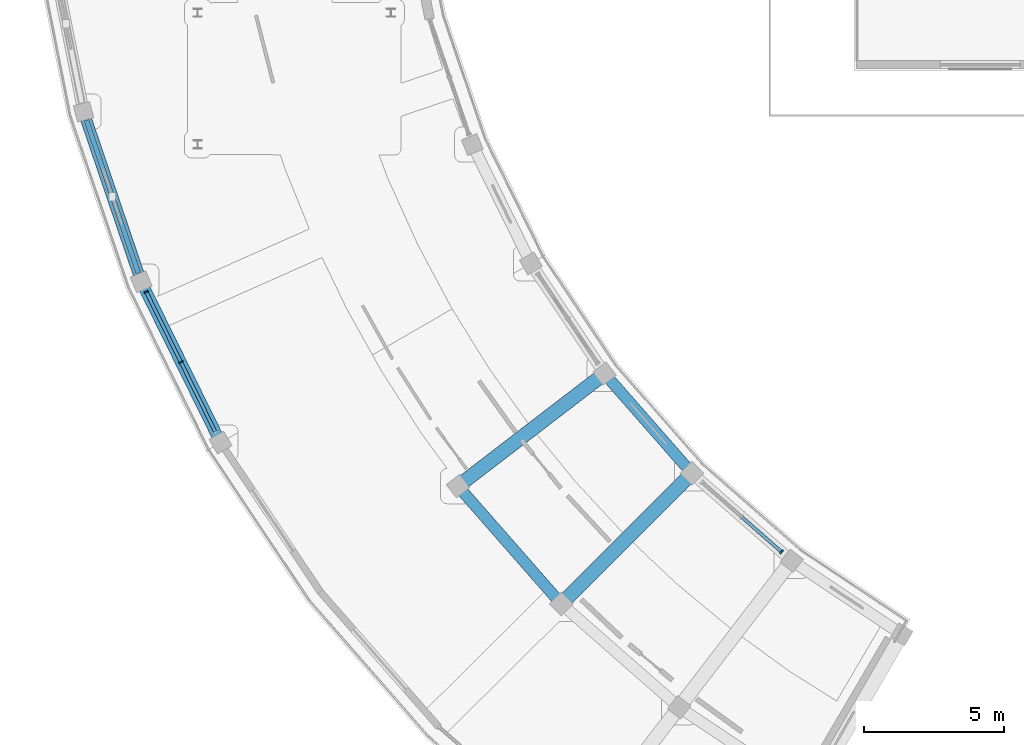
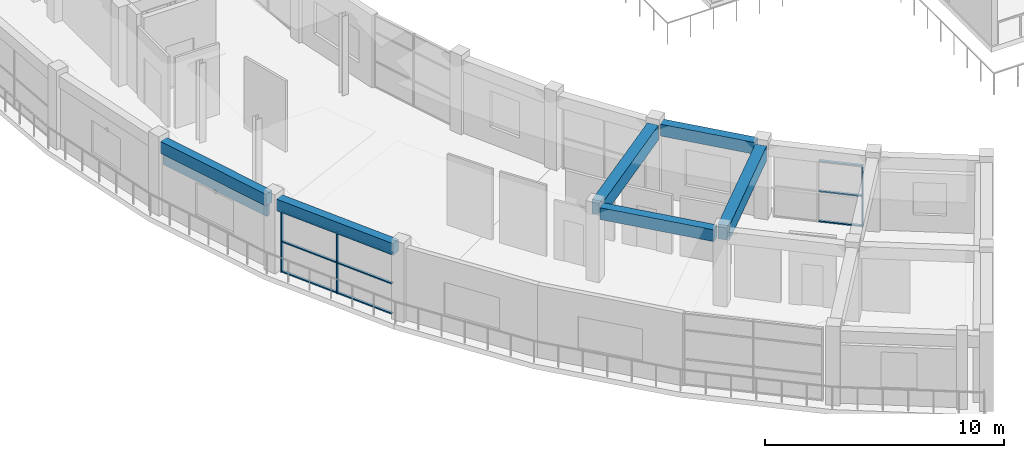
# One storey, part 13 of 72: 13 members, 6 beams, 2 elements without a shape of their own.
"""IFC4 building model written with IfcOpenShell, lengths in metres."""

from ifc_helpers import new_model, si_unit, direction, frame, origin, origin_2d, place, context, subcontext, project, spatial, rectangle, extrude, material, material_profile, profile_set, type_object, element, aggregate, save


model = new_model("IFC4")

# Units and contexts
model_context = context("Model", 3, precision=1e-05, world=origin(), true_north=direction((0.0, 1.0)))
body_context = subcontext(model_context, "Body", "Model", "MODEL_VIEW")
ifc_project = project(units=[si_unit("LENGTHUNIT", "METRE"), si_unit("AREAUNIT", "SQUARE_METRE"), si_unit("VOLUMEUNIT", "CUBIC_METRE"), si_unit("PLANEANGLEUNIT", "RADIAN"), si_unit("MASSUNIT", "GRAM", prefix="KILO")], contexts=[model_context])

# Site, building, storey
site_placement = place(None, origin())
site = spatial("IfcSite", under=ifc_project, at=site_placement, CompositionType="ELEMENT")
building_placement = place(site_placement, origin())
building = spatial("IfcBuilding", under=site, at=building_placement, Name="Saryqyr Civic Hall", CompositionType="ELEMENT")
storey_placement = place(building_placement, frame((0.0, 0.0, 17.25)))
storey = spatial("IfcBuildingStorey", under=building, at=storey_placement, Name="L04", CompositionType="ELEMENT", Elevation=17.25)

# Curtain wall, members
ifc_material_1 = material(Name="Anodised aluminium and triple low-E glass", Category="aluminium")
curtain_wall_type_1 = type_object("IfcCurtainWallType", Name="ENV-CW-STD-14", PredefinedType="NOTDEFINED", material=ifc_material_1)
curtain_wall_1_placement = place(storey_placement, origin())
curtain_wall_1 = element("IfcCurtainWall", 1, at=curtain_wall_1_placement, inside=storey, type_object=curtain_wall_type_1, Name="Curtain wall V4-CWO-L04-05", PredefinedType="NOTDEFINED")
ifc_material_2 = material(Name="Anodised aluminium", Category="aluminium")
ifc_material_profile_1 = material_profile(ifc_material_2, rectangle(XDim=0.06005859375, YDim=0.159912109375, at=origin_2d()), Name="ALU MULLION 60x160")
ifc_profile_set_1 = profile_set([ifc_material_profile_1], Name="Anodised aluminium")
member_type_1 = type_object("IfcMemberType", Name="ENV-CW-MUL-180", PredefinedType="MULLION", material=ifc_profile_set_1)
member_1_placement = place(storey_placement, frame((13.1474609375, 62.374267578125, 0.0), z_axis=(0.0, 0.0, 1.0), x_axis=(-0.442287609634, 0.896873274417, 0.0)))
member_1 = element("IfcMember", 2, at=member_1_placement, type_object=member_type_1, Name="CW-14 mullion 2", PredefinedType="MULLION", context=body_context, shape_type="SweptSolid", body=[
    extrude(rectangle(XDim=0.06005859375, YDim=0.159912109375, at=origin_2d()), origin(), (0.0, 0.0, 1.0), 3.135009765625),
])
member_2_placement = place(storey_placement, frame((11.910888671875, 64.881591796875, 0.0), z_axis=(0.0, 0.0, 1.0), x_axis=(-0.442287609634, 0.896873274417, 0.0)))
member_2 = element("IfcMember", 3, at=member_2_placement, type_object=member_type_1, Name="CW-14 mullion 3", PredefinedType="MULLION", context=body_context, shape_type="SweptSolid", body=[
    extrude(rectangle(XDim=0.06005859375, YDim=0.159912109375, at=origin_2d()), origin(), (0.0, 0.0, 1.0), 3.135009765625),
])

# Curtain wall, member
curtain_wall_type_2 = type_object("IfcCurtainWallType", Name="ENV-CW-STD-20", PredefinedType="NOTDEFINED", material=ifc_material_1)
curtain_wall_2_placement = place(storey_placement, origin())
curtain_wall_2 = element("IfcCurtainWall", 4, at=curtain_wall_2_placement, inside=storey, type_object=curtain_wall_type_2, Name="Curtain wall V4-CWI-L04-08", PredefinedType="NOTDEFINED")
member_3_placement = place(storey_placement, frame((34.600341796875, 55.5986328125, 0.0), z_axis=(0.0, 0.0, 1.0), x_axis=(0.751850148543, -0.65933402319, 0.0)))
member_3 = element("IfcMember", 5, at=member_3_placement, type_object=member_type_1, Name="CW-20 mullion 3", PredefinedType="MULLION", context=body_context, shape_type="SweptSolid", body=[
    extrude(rectangle(XDim=0.06005859375, YDim=0.159912109375, at=origin_2d()), origin(), (0.0, 0.0, 1.0), 3.135009765625),
])

# Member
ifc_material_profile_2 = material_profile(ifc_material_2, rectangle(XDim=0.1201171875, YDim=0.06005859375, at=origin_2d()), Name="ALU TRANSOM 120x60")
ifc_profile_set_2 = profile_set([ifc_material_profile_2], Name="Anodised aluminium")
member_type_2 = type_object("IfcMemberType", Name="ENV-CW-TRN-150", PredefinedType="USERDEFINED", material=ifc_profile_set_2)
member_4_placement = place(storey_placement, frame((14.37060546875, 59.893798828125, 0.030029296875), z_axis=(-0.442280684004, 0.896876689717, 0.0), x_axis=(-0.896876689717, -0.442280684004, 0.0)))
member_4 = element("IfcMember", 6, at=member_4_placement, type_object=member_type_2, Name="CW-14 transom 1.1", ObjectType="TRANSOM", PredefinedType="USERDEFINED", context=body_context, shape_type="SweptSolid", body=[
    extrude(rectangle(XDim=0.1201171875, YDim=0.06005859375, at=origin_2d()), origin(), (0.0, 0.0, 1.0), 2.73583984375),
])

member_5_placement = place(storey_placement, frame((14.37060546875, 59.893798828125, 1.56689453125), z_axis=(-0.442280684004, 0.896876689717, 0.0), x_axis=(-0.896876689717, -0.442280684004, 0.0)))
member_5 = element("IfcMember", 7, at=member_5_placement, type_object=member_type_2, Name="CW-14 transom 1.2", ObjectType="TRANSOM", PredefinedType="USERDEFINED", context=body_context, shape_type="SweptSolid", body=[
    extrude(rectangle(XDim=0.1201171875, YDim=0.06005859375, at=origin_2d()), origin(), (0.0, 0.0, 1.0), 2.73583984375),
])

member_6_placement = place(storey_placement, frame((14.37060546875, 59.893798828125, 3.10498046875), z_axis=(-0.442280684004, 0.896876689717, 0.0), x_axis=(-0.896876689717, -0.442280684004, 0.0)))
member_6 = element("IfcMember", 8, at=member_6_placement, type_object=member_type_2, Name="CW-14 transom 1.3", ObjectType="TRANSOM", PredefinedType="USERDEFINED", context=body_context, shape_type="SweptSolid", body=[
    extrude(rectangle(XDim=0.1201171875, YDim=0.06005859375, at=origin_2d()), origin(), (0.0, 0.0, 1.0), 2.73583984375),
])

member_7_placement = place(storey_placement, frame((13.134033203125, 62.401123046875, 0.030029296875), z_axis=(-0.442280684004, 0.896876689717, 0.0), x_axis=(-0.896876689717, -0.442280684004, 0.0)))
member_7 = element("IfcMember", 9, at=member_7_placement, type_object=member_type_2, Name="CW-14 transom 2.1", ObjectType="TRANSOM", PredefinedType="USERDEFINED", context=body_context, shape_type="SweptSolid", body=[
    extrude(rectangle(XDim=0.1201171875, YDim=0.06005859375, at=origin_2d()), origin(), (0.0, 0.0, 1.0), 2.73583984375),
])

member_8_placement = place(storey_placement, frame((13.134033203125, 62.401123046875, 1.56689453125), z_axis=(-0.442280684004, 0.896876689717, 0.0), x_axis=(-0.896876689717, -0.442280684004, 0.0)))
member_8 = element("IfcMember", 10, at=member_8_placement, type_object=member_type_2, Name="CW-14 transom 2.2", ObjectType="TRANSOM", PredefinedType="USERDEFINED", context=body_context, shape_type="SweptSolid", body=[
    extrude(rectangle(XDim=0.1201171875, YDim=0.06005859375, at=origin_2d()), origin(), (0.0, 0.0, 1.0), 2.73583984375),
])

member_9_placement = place(storey_placement, frame((13.134033203125, 62.401123046875, 3.10498046875), z_axis=(-0.442280684004, 0.896876689717, 0.0), x_axis=(-0.896876689717, -0.442280684004, 0.0)))
member_9 = element("IfcMember", 11, at=member_9_placement, type_object=member_type_2, Name="CW-14 transom 2.3", ObjectType="TRANSOM", PredefinedType="USERDEFINED", context=body_context, shape_type="SweptSolid", body=[
    extrude(rectangle(XDim=0.1201171875, YDim=0.06005859375, at=origin_2d()), origin(), (0.0, 0.0, 1.0), 2.73583984375),
])

aggregate(curtain_wall_1, [member_1, member_2, member_4, member_5, member_6, member_7, member_8, member_9])

member_10_placement = place(storey_placement, frame((33.205322265625, 56.82177734375, 0.030029296875), z_axis=(0.75187194619, -0.659309166122, 0.0), x_axis=(0.659309166122, 0.75187194619, 0.0)))
member_10 = element("IfcMember", 12, at=member_10_placement, type_object=member_type_2, Name="CW-20 transom 2.1", ObjectType="TRANSOM", PredefinedType="USERDEFINED", context=body_context, shape_type="SweptSolid", body=[
    extrude(rectangle(XDim=0.1201171875, YDim=0.06005859375, at=origin_2d()), origin(), (0.0, 0.0, 1.0), 1.8251953125),
])

member_11_placement = place(storey_placement, frame((33.205322265625, 56.82177734375, 1.56689453125), z_axis=(0.75187194619, -0.659309166122, 0.0), x_axis=(0.659309166122, 0.75187194619, 0.0)))
member_11 = element("IfcMember", 13, at=member_11_placement, type_object=member_type_2, Name="CW-20 transom 2.2", ObjectType="TRANSOM", PredefinedType="USERDEFINED", context=body_context, shape_type="SweptSolid", body=[
    extrude(rectangle(XDim=0.1201171875, YDim=0.06005859375, at=origin_2d()), origin(), (0.0, 0.0, 1.0), 1.8251953125),
])

member_12_placement = place(storey_placement, frame((33.205322265625, 56.82177734375, 3.10498046875), z_axis=(0.75187194619, -0.659309166122, 0.0), x_axis=(0.659309166122, 0.75187194619, 0.0)))
member_12 = element("IfcMember", 14, at=member_12_placement, type_object=member_type_2, Name="CW-20 transom 2.3", ObjectType="TRANSOM", PredefinedType="USERDEFINED", context=body_context, shape_type="SweptSolid", body=[
    extrude(rectangle(XDim=0.1201171875, YDim=0.06005859375, at=origin_2d()), origin(), (0.0, 0.0, 1.0), 1.8251953125),
])

aggregate(curtain_wall_2, [member_3, member_10, member_11, member_12])

ifc_material_3 = material(Name="Precast concrete C40/50", Category="concrete")
ifc_material_profile_3 = material_profile(ifc_material_3, rectangle(XDim=0.179931640625, YDim=0.550048828125, at=origin_2d()), Name="PC FIN 180x550")
ifc_profile_set_3 = profile_set([ifc_material_profile_3], Name="Precast concrete C40/50")
member_type_3 = type_object("IfcMemberType", Name="ENV-FIN-PC550", PredefinedType="USERDEFINED", material=ifc_profile_set_3)
member_13_placement = place(storey_placement, frame((9.771728515625, 71.016845703125, 2.820068359375), z_axis=(0.321449373717, -0.946926765984, 0.0), x_axis=(0.946926765984, 0.321449373717, 0.0)))
element("IfcMember", 15, at=member_13_placement, inside=storey, type_object=member_type_3, Name="Precast horizontal solar brise-soleil fin V4-L04-04", ObjectType="SOLAR_FIN", PredefinedType="USERDEFINED", context=body_context, shape_type="SweptSolid", body=[
    extrude(rectangle(XDim=0.179931640625, YDim=0.550048828125, at=origin_2d()), origin(), (0.0, 0.0, 1.0), 5.773681640625),
])

# Beams
ifc_material_4 = material(Name="Concrete C35/45", Category="concrete")
ifc_material_profile_4 = material_profile(ifc_material_4, rectangle(XDim=0.39990234375, YDim=0.60009765625, at=origin_2d()), Name="RC 400x600")
ifc_profile_set_4 = profile_set([ifc_material_profile_4], Name="Concrete C35/45")
beam_type_1 = type_object("IfcBeamType", Name="STR-BM-RC400x600", PredefinedType="BEAM", material=ifc_profile_set_4)
beam_1_placement = place(storey_placement, frame((23.225830078125, 57.73828125, 3.4599609375), z_axis=(0.659336163536, -0.751848271564, 0.0), x_axis=(0.751848271564, 0.659336163536, 0.0)))
element("IfcBeam", 16, at=beam_1_placement, inside=storey, type_object=beam_type_1, Name="Beam V4-CBM-MID07-L04", PredefinedType="BEAM", context=body_context, shape_type="SweptSolid", body=[
    extrude(rectangle(XDim=0.39990234375, YDim=0.60009765625, at=origin_2d()), origin(), (0.0, 0.0, 1.0), 5.04833984375),
])
ifc_material_profile_5 = material_profile(ifc_material_4, rectangle(XDim=0.39990234375, YDim=0.60009765625, at=origin_2d()), Name="RC 400x600")
ifc_profile_set_5 = profile_set([ifc_material_profile_5], Name="Concrete C35/45")
beam_type_2 = type_object("IfcBeamType", Name="STR-BM-RC400x600-EXT", PredefinedType="BEAM", material=ifc_profile_set_5)
beam_2_placement = place(storey_placement, frame((9.758056640625, 71.0576171875, 3.4599609375), z_axis=(0.321435116902, -0.946931605567, 0.0), x_axis=(0.946931605567, 0.321435116902, 0.0)))
element("IfcBeam", 17, at=beam_2_placement, inside=storey, type_object=beam_type_2, Name="Beam V4-CBM-OUT04-L04", PredefinedType="BEAM", context=body_context, shape_type="SweptSolid", body=[
    extrude(rectangle(XDim=0.39990234375, YDim=0.60009765625, at=origin_2d()), origin(), (0.0, 0.0, 1.0), 5.85986328125),
])
beam_3_placement = place(storey_placement, frame((11.8515625, 65.001953125, 3.4599609375), z_axis=(0.44227366089, -0.896880153021, 0.0), x_axis=(0.896880153021, 0.44227366089, 0.0)))
element("IfcBeam", 18, at=beam_3_placement, inside=storey, type_object=beam_type_2, Name="Beam V4-CBM-OUT05-L04", PredefinedType="BEAM", context=body_context, shape_type="SweptSolid", body=[
    extrude(rectangle(XDim=0.39990234375, YDim=0.60009765625, at=origin_2d()), origin(), (0.0, 0.0, 1.0), 5.859619140625),
])
beam_4_placement = place(storey_placement, frame((28.4619140625, 61.756103515625, 3.4599609375), z_axis=(0.659363203996, -0.751824557471, 0.0), x_axis=(0.751824557471, 0.659363203996, 0.0)))
element("IfcBeam", 19, at=beam_4_placement, inside=storey, type_object=beam_type_2, Name="Beam V4-CBM-IN07-L04", PredefinedType="BEAM", context=body_context, shape_type="SweptSolid", body=[
    extrude(rectangle(XDim=0.39990234375, YDim=0.60009765625, at=origin_2d()), origin(), (0.0, 0.0, 1.0), 4.18505859375),
])
ifc_material_5 = material(Name="Concrete C40/50", Category="concrete")
ifc_material_profile_6 = material_profile(ifc_material_5, rectangle(XDim=0.5, YDim=0.75, at=origin_2d()), Name="RC 500x750")
ifc_profile_set_6 = profile_set([ifc_material_profile_6], Name="Concrete C40/50")
beam_type_3 = type_object("IfcBeamType", Name="STR-BM-RC500x750", PredefinedType="BEAM", material=ifc_profile_set_6)
beam_5_placement = place(storey_placement, frame((28.0625, 61.79541015625, 3.385009765625), z_axis=(-0.793346491431, -0.608770354513, 0.0), x_axis=(0.608770354513, -0.793346491431, 0.0)))
element("IfcBeam", 20, at=beam_5_placement, inside=storey, type_object=beam_type_3, Name="Beam V4-RBM-A07-L04", PredefinedType="BEAM", context=body_context, shape_type="SweptSolid", body=[
    extrude(rectangle(XDim=0.5, YDim=0.75, at=origin_2d()), origin(), (0.0, 0.0, 1.0), 6.050048828125),
])
beam_6_placement = place(storey_placement, frame((31.208251953125, 58.208251953125, 3.385009765625), z_axis=(-0.707106781187, -0.707106781187, 0.0), x_axis=(0.707106781187, -0.707106781187, 0.0)))
element("IfcBeam", 21, at=beam_6_placement, inside=storey, type_object=beam_type_3, Name="Beam V4-RBM-A08-L04", PredefinedType="BEAM", context=body_context, shape_type="SweptSolid", body=[
    extrude(rectangle(XDim=0.5, YDim=0.75, at=origin_2d()), origin(), (0.0, 0.0, 1.0), 6.0498046875),
])

save(model, "model.ifc")
